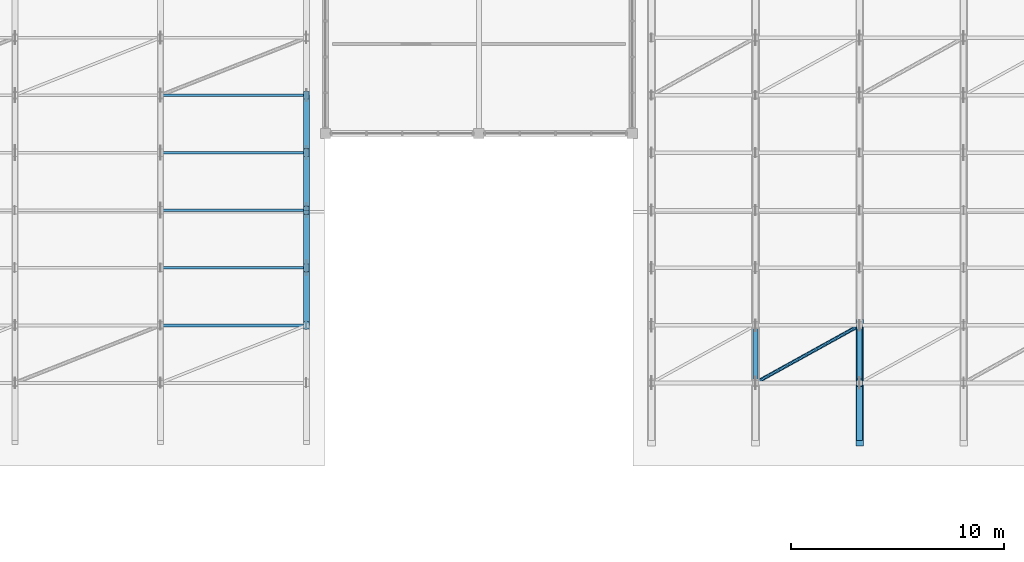
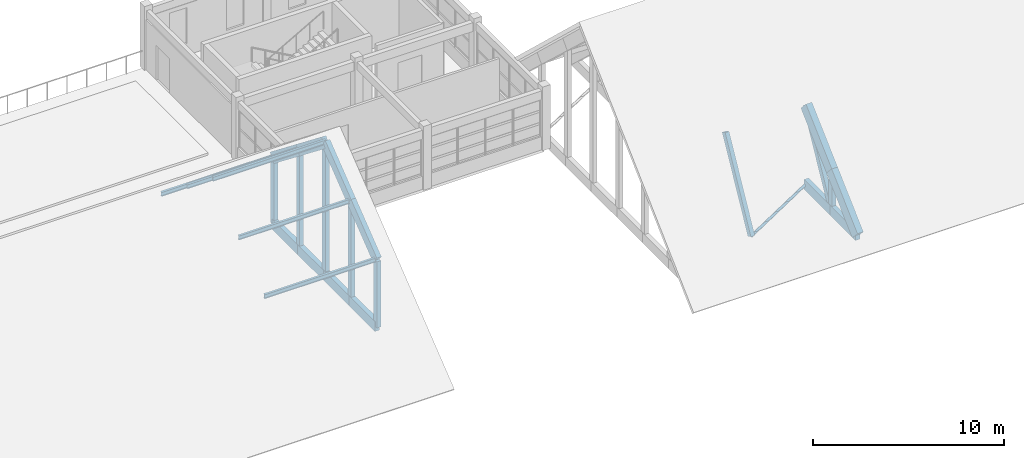
# One storey, part 19 of 79: 26 members.
"""IFC4 building model written with IfcOpenShell, lengths in metres."""

import ifcopenshell
import ifcopenshell.guid

model = None  # the IFC model being written
_history = None  # IfcOwnerHistory: only IFC2X3 demands one
_inside = {}  # id of a spatial element -> (the spatial element, [elements in it])
_under = {}  # id of a project, library or spatial element -> (it, [spatial elements below it])
_declared = {}  # id of a project -> (the project, [libraries it declares])
_typed = {}  # id of a type object -> (the type object, [elements of that type])
_made_of = {}  # id of a material, layer set ... -> (it, [elements and type objects made of it])


def new_model(schema):
    """Start an empty IFC model of exactly this schema.

    Asked for "IFC4X3", IfcOpenShell would pick the latest addendum, in which some entities
    have other attributes; the version numbers below select the first issue.
    IFC2X3 requires an IfcOwnerHistory on every rooted entity: one is made here for all.
    """
    global model, _history
    if schema == "IFC4X3":
        model = ifcopenshell.file(schema_version=(4, 3, 0, 0))
    else:
        model = ifcopenshell.file(schema=schema)
    _inside.clear()
    _under.clear()
    _declared.clear()
    _typed.clear()
    _made_of.clear()
    _history = None
    if model.schema == "IFC2X3":
        org = make("IfcOrganization", Name="unknown")
        user = make(
            "IfcPersonAndOrganization",
            ThePerson=make("IfcPerson", FamilyName="unknown"),
            TheOrganization=org,
        )
        app = make(
            "IfcApplication",
            ApplicationDeveloper=org,
            Version="unknown",
            ApplicationFullName="unknown",
            ApplicationIdentifier="unknown",
        )
        _history = make(
            "IfcOwnerHistory",
            OwningUser=user,
            OwningApplication=app,
            ChangeAction="ADDED",
            CreationDate=0,
        )
    return model


def make(cls, **values):
    """One entity of the class cls with the attributes given. An attribute that is None is left unset."""
    return model.create_entity(
        cls, **{name: value for name, value in values.items() if value is not None}
    )


def rooted(cls, **values):
    """An entity with a GlobalId (a new one), such as an element, a storey or a relation."""
    return make(cls, GlobalId=ifcopenshell.guid.new(), OwnerHistory=_history, **values)


def si_unit(unit_type, name, prefix=None):
    """IfcSIUnit, for example si_unit("LENGTHUNIT", "METRE", prefix="MILLI")."""
    return make("IfcSIUnit", UnitType=unit_type, Prefix=prefix, Name=name)


def assignment(units):
    """IfcUnitAssignment: the units of a project."""
    return None if units is None else make("IfcUnitAssignment", Units=units)


def point(xyz):
    """IfcCartesianPoint."""
    return None if xyz is None else make("IfcCartesianPoint", Coordinates=xyz)


def direction(xyz):
    """IfcDirection."""
    return None if xyz is None else make("IfcDirection", DirectionRatios=xyz)


def frame(location, z_axis=None, x_axis=None):
    """IfcAxis2Placement3D, a coordinate frame: its origin and axes. An axis left out is left unset."""
    return make(
        "IfcAxis2Placement3D",
        Location=point(location),
        Axis=direction(z_axis),
        RefDirection=direction(x_axis),
    )


def frame_2d(location, x_axis=None):
    """IfcAxis2Placement2D, a coordinate frame in the plane: its origin and x axis."""
    return make(
        "IfcAxis2Placement2D", Location=point(location), RefDirection=direction(x_axis)
    )


def origin():
    """The frame at (0, 0, 0) with its axes left unset."""
    return frame((0.0, 0.0, 0.0))


def origin_2d():
    """The frame at (0, 0) in the plane with its x axis left unset."""
    return frame_2d((0.0, 0.0))


def place(relative_to, where):
    """IfcLocalPlacement: puts the frame where relative to a parent placement (None: the world)."""
    return make(
        "IfcLocalPlacement", PlacementRelTo=relative_to, RelativePlacement=where
    )


def context(
    kind, dimensions, precision=None, world=None, true_north=None, identifier=None
):
    """IfcGeometricRepresentationContext, for example the 3D "Model" context."""
    return make(
        "IfcGeometricRepresentationContext",
        ContextIdentifier=identifier,
        ContextType=kind,
        CoordinateSpaceDimension=dimensions,
        Precision=precision,
        WorldCoordinateSystem=world,
        TrueNorth=true_north,
    )


def subcontext(parent, identifier, kind, view, scale=None):
    """IfcGeometricRepresentationSubContext, for example "Body" below "Model"."""
    return make(
        "IfcGeometricRepresentationSubContext",
        ContextIdentifier=identifier,
        ContextType=kind,
        ParentContext=parent,
        TargetScale=scale,
        TargetView=view,
    )


def project(units=None, contexts=None):
    """IfcProject with its units and contexts."""
    return rooted(
        "IfcProject",
        Name="project",
        RepresentationContexts=contexts,
        UnitsInContext=assignment(units),
    )


def spatial(cls, under=None, at=None, **own):
    """A site, building, storey or space (cls), placed at a placement, below another one or the project."""
    s = rooted(cls, ObjectPlacement=at, **own)
    if under is not None:
        _under.setdefault(under.id(), (under, []))[1].append(s)
    return s


def profile(cls, at=None, kind="AREA", **sizes):
    """A parametric profile (cls). Its sizes go by their IFC names, for example OverallWidth=200.0."""
    return make(cls, ProfileType=kind, Position=at, **sizes)


def rectangle(**sizes):
    """IfcRectangleProfileDef."""
    return profile("IfcRectangleProfileDef", **sizes)


def hollow_circle(**sizes):
    """IfcCircleHollowProfileDef."""
    return profile("IfcCircleHollowProfileDef", **sizes)


def i_section(**sizes):
    """IfcIShapeProfileDef."""
    return profile("IfcIShapeProfileDef", **sizes)


def extrude(swept, where, along, depth):
    """IfcExtrudedAreaSolid: the profile swept, set in the frame where, extruded along a direction by depth."""
    return make(
        "IfcExtrudedAreaSolid",
        SweptArea=swept,
        Position=where,
        ExtrudedDirection=direction(along),
        Depth=depth,
    )


def shape(context_of_items, identifier, shape_type, items):
    """IfcShapeRepresentation: the items that make up one representation, for example the "Body"."""
    return make(
        "IfcShapeRepresentation",
        ContextOfItems=context_of_items,
        RepresentationIdentifier=identifier,
        RepresentationType=shape_type,
        Items=items,
    )


def material(Name=None, Category=None):
    """IfcMaterial."""
    return make("IfcMaterial", Name=Name, Category=Category)


def material_profile(
    of_material, cross_section, Name=None, Category=None, Priority=None
):
    """IfcMaterialProfile: a cross section and its material."""
    return make(
        "IfcMaterialProfile",
        Name=Name,
        Material=of_material,
        Profile=cross_section,
        Priority=Priority,
        Category=Category,
    )


def profile_set(profiles, Name=None, composite=None):
    """IfcMaterialProfileSet."""
    return make(
        "IfcMaterialProfileSet",
        Name=Name,
        MaterialProfiles=profiles,
        CompositeProfile=composite,
    )


def made_of(thing, what):
    """Note that an element or type object is made of a material, layer set ...; save() writes the relation."""
    if what is not None:
        _made_of.setdefault(what.id(), (what, []))[1].append(thing)
    return thing


def type_object(cls, material=None, **own):
    """A type object (cls), such as IfcWallType, which elements share."""
    return made_of(rooted(cls, **own), material)


def element(
    cls,
    number,
    at=None,
    inside=None,
    cuts=None,
    type_object=None,
    material=None,
    context=None,
    identifier="Body",
    shape_type=None,
    held_by="IfcProductDefinitionShape",
    body=None,
    shapes=None,
    **own,
):
    """One element of the class cls, such as IfcWall. Its Tag is "e" and its number.

    at: its placement. inside: the storey or other place that contains it. cuts: it is an
    opening in that element (IfcRelVoidsElement). A single representation is given by context,
    identifier, shape_type and body (its items); several are given by shapes. held_by: the class
    of the entity that holds the representations. save() writes the other relations.
    """
    e = rooted(cls, Tag="e%d" % number, ObjectPlacement=at, **own)
    if body is not None:
        shapes = [shape(context, identifier, shape_type, body)]
    if shapes is not None:
        e.Representation = make(held_by, Representations=shapes)
    if inside is not None:
        _inside.setdefault(inside.id(), (inside, []))[1].append(e)
    if cuts is not None:
        rooted(
            "IfcRelVoidsElement", RelatingBuildingElement=cuts, RelatedOpeningElement=e
        )
    if type_object is not None:
        _typed.setdefault(type_object.id(), (type_object, []))[1].append(e)
    return made_of(e, material)


def aggregate(whole, parts):
    """IfcRelAggregates: a whole, such as a stair, and the parts it consists of."""
    return rooted("IfcRelAggregates", RelatingObject=whole, RelatedObjects=parts)


def save(model, path):
    """Write the relations noted so far, then the file.

    IfcRelAggregates (storeys below a building ...), IfcRelContainedInSpatialStructure (elements
    in a storey), IfcRelDefinesByType, IfcRelAssociatesMaterial and IfcRelDeclares: one each for
    every whole, place, type object, material and project.
    """
    for whole, parts in _under.values():
        aggregate(whole, parts)
    for where, things in _inside.values():
        rooted(
            "IfcRelContainedInSpatialStructure",
            RelatedElements=things,
            RelatingStructure=where,
        )
    for kind, things in _typed.values():
        rooted("IfcRelDefinesByType", RelatedObjects=things, RelatingType=kind)
    for what, things in _made_of.values():
        rooted("IfcRelAssociatesMaterial", RelatedObjects=things, RelatingMaterial=what)
    for by, libraries in _declared.values():
        rooted("IfcRelDeclares", RelatingContext=by, RelatedDefinitions=libraries)
    model.write(path)


model = new_model("IFC4")

# Units and contexts
model_context = context("Model", 3, precision=1e-05, world=origin(), true_north=direction((0.0, 1.0)))
body_context = subcontext(model_context, "Body", "Model", "MODEL_VIEW")
ifc_project = project(units=[si_unit("LENGTHUNIT", "METRE"), si_unit("AREAUNIT", "SQUARE_METRE"), si_unit("VOLUMEUNIT", "CUBIC_METRE"), si_unit("PLANEANGLEUNIT", "RADIAN"), si_unit("MASSUNIT", "GRAM", prefix="KILO")], contexts=[model_context])

# Site, building, storey
site_placement = place(None, origin())
site = spatial("IfcSite", under=ifc_project, at=site_placement, CompositionType="ELEMENT")
building_placement = place(site_placement, origin())
building = spatial("IfcBuilding", under=site, at=building_placement, Name="Nzembalo Square Collegiate School", CompositionType="ELEMENT")
storey_placement = place(building_placement, frame((0.0, 0.0, 9.52001953125)))
storey = spatial("IfcBuildingStorey", under=building, at=storey_placement, Name="L02", CompositionType="ELEMENT", Elevation=9.52001953125)

# Members
ifc_material_1 = material(Name="Steel S355", Category="steel")
ifc_material_profile_1 = material_profile(ifc_material_1, hollow_circle(Radius=0.083984375, WallThickness=0.008056640625, at=origin_2d()), Name="CHS 168x8")
ifc_profile_set_1 = profile_set([ifc_material_profile_1], Name="Steel S355")
member_type_1 = type_object("IfcMemberType", Name="BR01", PredefinedType="BRACE", material=ifc_profile_set_1)
member_1_placement = place(storey_placement, frame((96.985595703125, 85.5, -0.60009765625), z_axis=(0.875246407849, 0.483677294843, 0.0), x_axis=(-0.483677294843, 0.875246407849, 0.0)))
element("IfcMember", 1, at=member_1_placement, inside=storey, type_object=member_type_1, Name="Roof wind brace BR01 GT-AH1-03-1", PredefinedType="BRACE", context=body_context, shape_type="SweptSolid", body=[
    extrude(hollow_circle(Radius=0.083984375, WallThickness=0.008056640625, at=origin_2d()), origin(), (0.0, 0.0, 1.0), 5.58203125),
])
ifc_material_2 = material(Name="Steel S355", Category="steel")
ifc_material_profile_2 = material_profile(ifc_material_2, i_section(OverallWidth=0.135009765625, OverallDepth=0.27001953125, WebThickness=0.006591796875, FlangeThickness=0.01025390625, at=origin_2d()), Name="IPE 270")
ifc_profile_set_2 = profile_set([ifc_material_profile_2], Name="Steel S355")
member_type_2 = type_object("IfcMemberType", Name="PR02", PredefinedType="PURLIN", material=ifc_profile_set_2)
for number, where, z_axis, x_axis, name in (
    (2, (69.06005859375, 88.199951171875, 3.68505859375), (1.0, 0.0, 0.0), (0.0, 1.0, 0.0), "Roof purlin PR02 GT-DH1-06-2"),
    (3, (69.06005859375, 90.89990234375, 5.804931640625), (1.0, 0.0, 0.0), (0.0, 1.0, 0.0), "Roof purlin PR02 GT-DH1-06-3"),
    (4, (69.06005859375, 93.60009765625, 7.925048828125), (1.0, 0.0, 0.0), (0.0, 1.0, 0.0), "Roof purlin PR02 GT-DH1-06-4"),
    (5, (69.06005859375, 96.300048828125, 5.804931640625), (1.0, 0.0, 0.0), (0.0, 1.0, 0.0), "Roof purlin PR02 GT-DH1-06-5"),
    (6, (69.06005859375, 99.0, 3.68505859375), (1.0, 0.0, 0.0), (0.0, 1.0, 0.0), "Roof purlin PR02 GT-DH1-06-6"),
):
    element("IfcMember", number, at=place(storey_placement, frame(where, z_axis=z_axis, x_axis=x_axis)), inside=storey, type_object=member_type_2, Name=name, PredefinedType="PURLIN", context=body_context, shape_type="SweptSolid", body=[
        extrude(i_section(OverallWidth=0.135009765625, OverallDepth=0.27001953125, WebThickness=0.006591796875, FlangeThickness=0.01025390625, at=origin_2d()), origin(), (0.0, 0.0, 1.0), 6.83984375),
    ])
ifc_material_3 = material(Name="Glulam GL32h", Category="wood")
ifc_material_profile_3 = material_profile(ifc_material_3, rectangle(XDim=0.360107421875, YDim=0.800048828125, at=origin_2d()), Name="GL32h 360x800")
ifc_profile_set_3 = profile_set([ifc_material_profile_3], Name="Glulam GL32h")
member_type_3 = type_object("IfcMemberType", Name="TC01", PredefinedType="CHORD", material=ifc_profile_set_3)
member_2_placement = place(storey_placement, frame((101.871337890625, 82.800048828125, -0.60009765625), z_axis=(0.0, 0.731706201412, 0.681620154349), x_axis=(-1.0, 0.0, 0.0)))
element("IfcMember", 7, at=member_2_placement, inside=storey, type_object=member_type_3, Name="GT-AH1-03 top chord 1", PredefinedType="CHORD", context=body_context, shape_type="SweptSolid", body=[
    extrude(rectangle(XDim=0.360107421875, YDim=0.800048828125, at=origin_2d()), origin(), (0.0, 0.0, 1.0), 3.68994140625),
])
member_3_placement = place(storey_placement, frame((101.871337890625, 85.5, 1.9150390625), z_axis=(0.0, 0.731739200986, 0.681584728218), x_axis=(-1.0, 0.0, 0.0)))
element("IfcMember", 8, at=member_3_placement, inside=storey, type_object=member_type_3, Name="GT-AH1-03 top chord 2", PredefinedType="CHORD", context=body_context, shape_type="SweptSolid", body=[
    extrude(rectangle(XDim=0.360107421875, YDim=0.800048828125, at=origin_2d()), origin(), (0.0, 0.0, 1.0), 3.689697265625),
])
ifc_material_4 = material(Name="Glulam GL32h", Category="wood")
ifc_material_profile_4 = material_profile(ifc_material_4, rectangle(XDim=0.280029296875, YDim=0.639892578125, at=origin_2d()), Name="GL32h 280x640")
ifc_profile_set_4 = profile_set([ifc_material_profile_4], Name="Glulam GL32h")
member_type_4 = type_object("IfcMemberType", Name="TC02", PredefinedType="CHORD", material=ifc_profile_set_4)
for number, where, z_axis, x_axis, name in (
    (9, (101.871337890625, 82.800048828125, -0.60009765625), (0.0, 1.0, 0.0), (-1.0, 0.0, 0.0), "GT-AH1-03 bottom chord 1"),
    (10, (101.871337890625, 85.5, -0.60009765625), (0.0, 1.0, 0.0), (-1.0, 0.0, 0.0), "GT-AH1-03 bottom chord 2"),
):
    element("IfcMember", number, at=place(storey_placement, frame(where, z_axis=z_axis, x_axis=x_axis)), inside=storey, type_object=member_type_4, Name=name, PredefinedType="CHORD", context=body_context, shape_type="SweptSolid", body=[
        extrude(rectangle(XDim=0.280029296875, YDim=0.639892578125, at=origin_2d()), origin(), (0.0, 0.0, 1.0), 2.699951171875),
    ])
member_4_placement = place(storey_placement, frame((75.89990234375, 88.199951171875, 3.639892578125), z_axis=(0.0, 0.786498457067, 0.617592241719), x_axis=(-1.0, 0.0, 0.0)))
element("IfcMember", 11, at=member_4_placement, inside=storey, type_object=member_type_4, Name="GT-DH1-06 top chord 3", PredefinedType="CHORD", context=body_context, shape_type="SweptSolid", body=[
    extrude(rectangle(XDim=0.280029296875, YDim=0.639892578125, at=origin_2d()), origin(), (0.0, 0.0, 1.0), 3.432861328125),
])
member_5_placement = place(storey_placement, frame((75.89990234375, 88.199951171875, -0.60009765625), z_axis=(0.0, 1.0, 0.0), x_axis=(-1.0, 0.0, 0.0)))
element("IfcMember", 12, at=member_5_placement, inside=storey, type_object=member_type_4, Name="GT-DH1-06 bottom chord 3", PredefinedType="CHORD", context=body_context, shape_type="SweptSolid", body=[
    extrude(rectangle(XDim=0.280029296875, YDim=0.639892578125, at=origin_2d()), origin(), (0.0, 0.0, 1.0), 2.699951171875),
])
member_6_placement = place(storey_placement, frame((75.89990234375, 90.89990234375, 5.760009765625), z_axis=(0.0, 0.786560123124, 0.617513702449), x_axis=(-1.0, 0.0, 0.0)))
element("IfcMember", 13, at=member_6_placement, inside=storey, type_object=member_type_4, Name="GT-DH1-06 top chord 4", PredefinedType="CHORD", context=body_context, shape_type="SweptSolid", body=[
    extrude(rectangle(XDim=0.280029296875, YDim=0.639892578125, at=origin_2d()), origin(), (0.0, 0.0, 1.0), 3.432861328125),
])
member_7_placement = place(storey_placement, frame((75.89990234375, 90.89990234375, -0.60009765625), z_axis=(0.0, 1.0, 0.0), x_axis=(-1.0, 0.0, 0.0)))
element("IfcMember", 14, at=member_7_placement, inside=storey, type_object=member_type_4, Name="GT-DH1-06 bottom chord 4", PredefinedType="CHORD", context=body_context, shape_type="SweptSolid", body=[
    extrude(rectangle(XDim=0.280029296875, YDim=0.639892578125, at=origin_2d()), origin(), (0.0, 0.0, 1.0), 2.7001953125),
])
member_8_placement = place(storey_placement, frame((75.89990234375, 93.60009765625, 7.8798828125), z_axis=(0.0, 0.786533002077, -0.617548246409), x_axis=(-1.0, 0.0, 0.0)))
element("IfcMember", 15, at=member_8_placement, inside=storey, type_object=member_type_4, Name="GT-DH1-06 top chord 5", PredefinedType="CHORD", context=body_context, shape_type="SweptSolid", body=[
    extrude(rectangle(XDim=0.280029296875, YDim=0.639892578125, at=origin_2d()), origin(), (0.0, 0.0, 1.0), 3.4326171875),
])
member_9_placement = place(storey_placement, frame((75.89990234375, 93.60009765625, -0.60009765625), z_axis=(0.0, 1.0, 0.0), x_axis=(-1.0, 0.0, 0.0)))
element("IfcMember", 16, at=member_9_placement, inside=storey, type_object=member_type_4, Name="GT-DH1-06 bottom chord 5", PredefinedType="CHORD", context=body_context, shape_type="SweptSolid", body=[
    extrude(rectangle(XDim=0.280029296875, YDim=0.639892578125, at=origin_2d()), origin(), (0.0, 0.0, 1.0), 2.699951171875),
])
member_10_placement = place(storey_placement, frame((75.89990234375, 96.300048828125, 5.760009765625), z_axis=(0.0, 0.786498457067, -0.617592241719), x_axis=(-1.0, 0.0, 0.0)))
element("IfcMember", 17, at=member_10_placement, inside=storey, type_object=member_type_4, Name="GT-DH1-06 top chord 6", PredefinedType="CHORD", context=body_context, shape_type="SweptSolid", body=[
    extrude(rectangle(XDim=0.280029296875, YDim=0.639892578125, at=origin_2d()), origin(), (0.0, 0.0, 1.0), 3.432861328125),
])
member_11_placement = place(storey_placement, frame((75.89990234375, 96.300048828125, -0.60009765625), z_axis=(0.0, 1.0, 0.0), x_axis=(-1.0, 0.0, 0.0)))
element("IfcMember", 18, at=member_11_placement, inside=storey, type_object=member_type_4, Name="GT-DH1-06 bottom chord 6", PredefinedType="CHORD", context=body_context, shape_type="SweptSolid", body=[
    extrude(rectangle(XDim=0.280029296875, YDim=0.639892578125, at=origin_2d()), origin(), (0.0, 0.0, 1.0), 2.699951171875),
])
ifc_material_5 = material(Name="Glulam GL32h", Category="wood")
ifc_material_profile_5 = material_profile(ifc_material_5, rectangle(XDim=0.239990234375, YDim=0.360107421875, at=origin_2d()), Name="GL32h 240x360")
ifc_profile_set_5 = profile_set([ifc_material_profile_5], Name="Glulam GL32h")
member_type_5 = type_object("IfcMemberType", Name="TD02", PredefinedType="BRACE", material=ifc_profile_set_5)
for number, where, z_axis, x_axis, name in (
    (19, (96.985595703125, 85.5, -0.60009765625), (0.0, 0.47294161091, 0.881093770646), (-1.0, 0.0, 0.0), "GT-AH1-02 web diagonal 1"),
    (20, (101.871337890625, 85.5, -0.60009765625), (0.0, 0.47294161091, 0.881093770646), (-1.0, 0.0, 0.0), "GT-AH1-03 web diagonal 1"),
):
    element("IfcMember", number, at=place(storey_placement, frame(where, z_axis=z_axis, x_axis=x_axis)), inside=storey, type_object=member_type_5, Name=name, PredefinedType="BRACE", context=body_context, shape_type="SweptSolid", body=[
        extrude(rectangle(XDim=0.239990234375, YDim=0.360107421875, at=origin_2d()), origin(), (0.0, 0.0, 1.0), 5.708740234375),
    ])
ifc_material_6 = material(Name="Glulam GL32h", Category="wood")
ifc_material_profile_6 = material_profile(ifc_material_6, rectangle(XDim=0.239990234375, YDim=0.360107421875, at=origin_2d()), Name="GL32h 240x360")
ifc_profile_set_6 = profile_set([ifc_material_profile_6], Name="Glulam GL32h")
member_type_6 = type_object("IfcMemberType", Name="TP01", PredefinedType="POST", material=ifc_profile_set_6)
member_12_placement = place(storey_placement, frame((101.871337890625, 85.5, -0.60009765625), z_axis=(0.0, 0.0, 1.0), x_axis=(1.0, 0.0, 0.0)))
element("IfcMember", 21, at=member_12_placement, inside=storey, type_object=member_type_6, Name="GT-AH1-03 vertical post 1", PredefinedType="POST", context=body_context, shape_type="SweptSolid", body=[
    extrude(rectangle(XDim=0.239990234375, YDim=0.360107421875, at=origin_2d()), origin(), (0.0, 0.0, 1.0), 2.51513671875),
])
member_13_placement = place(storey_placement, frame((75.89990234375, 88.199951171875, -0.60009765625), z_axis=(0.0, 0.0, 1.0), x_axis=(1.0, 0.0, 0.0)))
element("IfcMember", 22, at=member_13_placement, inside=storey, type_object=member_type_6, Name="GT-DH1-06 vertical post 2", PredefinedType="POST", context=body_context, shape_type="SweptSolid", body=[
    extrude(rectangle(XDim=0.239990234375, YDim=0.360107421875, at=origin_2d()), origin(), (0.0, 0.0, 1.0), 4.239990234375),
])
member_14_placement = place(storey_placement, frame((75.89990234375, 90.89990234375, -0.60009765625), z_axis=(0.0, 0.0, 1.0), x_axis=(1.0, 0.0, 0.0)))
element("IfcMember", 23, at=member_14_placement, inside=storey, type_object=member_type_6, Name="GT-DH1-06 vertical post 3", PredefinedType="POST", context=body_context, shape_type="SweptSolid", body=[
    extrude(rectangle(XDim=0.239990234375, YDim=0.360107421875, at=origin_2d()), origin(), (0.0, 0.0, 1.0), 6.360107421875),
])
member_15_placement = place(storey_placement, frame((75.89990234375, 93.60009765625, -0.60009765625), z_axis=(0.0, 0.0, 1.0), x_axis=(1.0, 0.0, 0.0)))
element("IfcMember", 24, at=member_15_placement, inside=storey, type_object=member_type_6, Name="GT-DH1-06 vertical post 4", PredefinedType="POST", context=body_context, shape_type="SweptSolid", body=[
    extrude(rectangle(XDim=0.239990234375, YDim=0.360107421875, at=origin_2d()), origin(), (0.0, 0.0, 1.0), 8.47998046875),
])
member_16_placement = place(storey_placement, frame((75.89990234375, 96.300048828125, -0.60009765625), z_axis=(0.0, 0.0, 1.0), x_axis=(1.0, 0.0, 0.0)))
element("IfcMember", 25, at=member_16_placement, inside=storey, type_object=member_type_6, Name="GT-DH1-06 vertical post 5", PredefinedType="POST", context=body_context, shape_type="SweptSolid", body=[
    extrude(rectangle(XDim=0.239990234375, YDim=0.360107421875, at=origin_2d()), origin(), (0.0, 0.0, 1.0), 6.360107421875),
])
member_17_placement = place(storey_placement, frame((75.89990234375, 99.0, -0.60009765625), z_axis=(0.0, 0.0, 1.0), x_axis=(1.0, 0.0, 0.0)))
element("IfcMember", 26, at=member_17_placement, inside=storey, type_object=member_type_6, Name="GT-DH1-06 vertical post 6", PredefinedType="POST", context=body_context, shape_type="SweptSolid", body=[
    extrude(rectangle(XDim=0.239990234375, YDim=0.360107421875, at=origin_2d()), origin(), (0.0, 0.0, 1.0), 4.239990234375),
])

save(model, "model.ifc")
